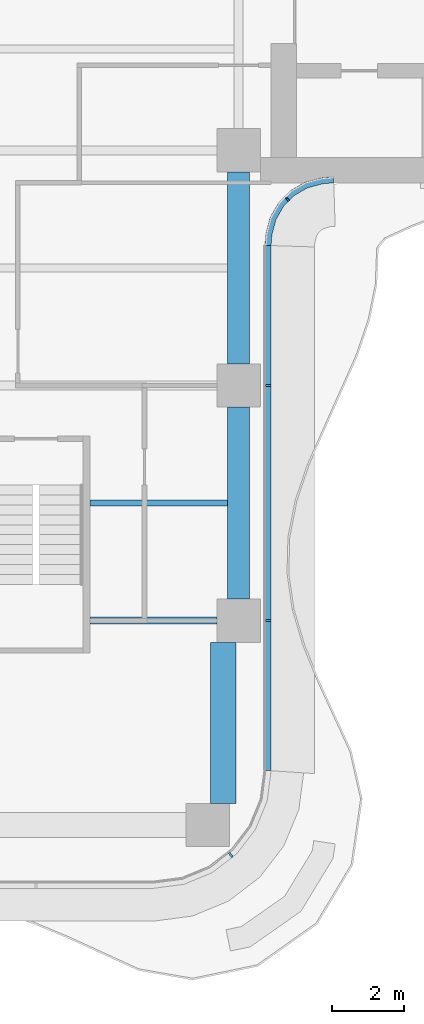
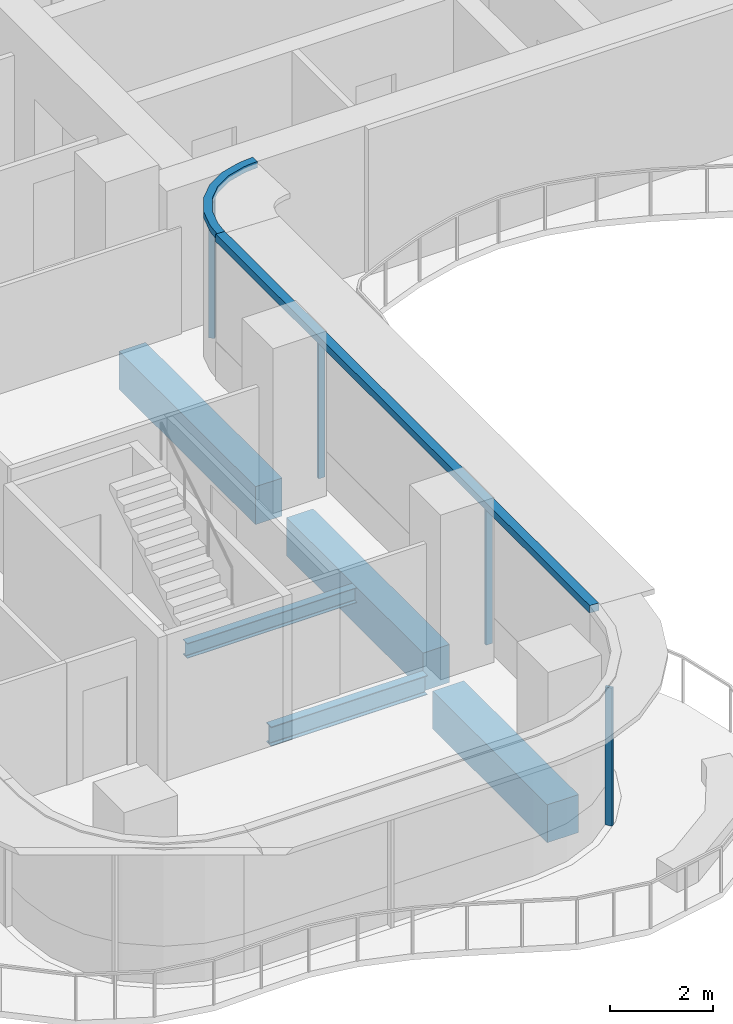
# One storey, part 5 of 17: 6 members, 5 beams, 3 elements without a shape of their own.
"""IFC4 building model written with IfcOpenShell, lengths in metres."""

from ifc_helpers import new_model, si_unit, direction, frame, origin, origin_2d, place, context, subcontext, project, spatial, polyline, rectangle, i_section, outline, extrude, source, transform, mapped, material, layer, layer_set, material_profile, profile_set, type_object, element, aggregate, save


model = new_model("IFC4")

# Units and contexts
model_context = context("Model", 3, precision=1e-05, world=origin(), true_north=direction((0.0, 1.0)))
body_context = subcontext(model_context, "Body", "Model", "MODEL_VIEW")
ifc_project = project(units=[si_unit("LENGTHUNIT", "METRE"), si_unit("AREAUNIT", "SQUARE_METRE"), si_unit("VOLUMEUNIT", "CUBIC_METRE"), si_unit("PLANEANGLEUNIT", "RADIAN"), si_unit("MASSUNIT", "GRAM", prefix="KILO")], contexts=[model_context])

# Site, building, storey
site_placement = place(None, origin())
site = spatial("IfcSite", under=ifc_project, at=site_placement, CompositionType="ELEMENT")
building_placement = place(site_placement, origin())
building = spatial("IfcBuilding", under=site, at=building_placement, Name="Trellis Farm Tower", CompositionType="ELEMENT")
storey_placement = place(building_placement, frame((0.0, 0.0, 208.800048828125)))
storey = spatial("IfcBuildingStorey", under=building, at=storey_placement, Name="L46", CompositionType="ELEMENT", Elevation=208.800048828125)

# Beams
ifc_material_1 = material(Name="Steel S355", Category="steel")
ifc_material_profile_1 = material_profile(ifc_material_1, i_section(OverallWidth=0.1904296875, OverallDepth=0.45703125, WebThickness=0.009033203125, FlangeThickness=0.014404296875, FilletRadius=0.01025390625, at=origin_2d()), Name="UB 457x191x74")
ifc_profile_set_1 = profile_set([ifc_material_profile_1], Name="Steel S355")
beam_type_1 = type_object("IfcBeamType", Name="UB 457x191x74", PredefinedType="BEAM", material=ifc_profile_set_1)
shared_shape_1 = source(origin(), body_context, "Body", "SweptSolid", [
    extrude(i_section(OverallWidth=0.1904296875, OverallDepth=0.45703125, WebThickness=0.009033203125, FlangeThickness=0.014404296875, FilletRadius=0.01025390625, at=origin_2d()), origin(), (0.0, 0.0, 1.0), 3.5),
])
beam_1_placement = place(storey_placement, frame((1.5, -18.60009765625, -0.428466796875), z_axis=(1.0, 0.0, 0.0), x_axis=(0.0, 1.0, 0.0)))
element("IfcBeam", 1, at=beam_1_placement, inside=storey, type_object=beam_type_1, Name="Girder", PredefinedType="BEAM", context=body_context, shape_type="MappedRepresentation", body=[
    mapped(shared_shape_1, transform((0.0, 0.0, 0.0))),
])
ifc_material_2 = material(Name="Concrete C60/75", Category="concrete")
ifc_material_profile_2 = material_profile(ifc_material_2, rectangle(XDim=0.60009765625, YDim=0.89990234375, at=origin_2d()), Name="RC spandrel beam 600x900 C60/75")
ifc_profile_set_2 = profile_set([ifc_material_profile_2], Name="Concrete C60/75")
beam_type_2 = type_object("IfcBeamType", Name="RC spandrel beam 600x900 C60/75", PredefinedType="SPANDREL", material=ifc_profile_set_2)
shared_shape_2 = source(origin(), body_context, "Body", "SweptSolid", [
    extrude(rectangle(XDim=0.60009765625, YDim=0.89990234375, at=origin_2d()), origin(), (0.0, 0.0, 1.0), 5.300048828125),
])
for number, where, z_axis, x_axis, name in (
    (2, (5.60009765625, -18.0, -0.650146484375), (0.0, 1.0, 0.0), (-1.0, 0.0, 0.0), "Girder"),
    (3, (5.60009765625, -11.5, -0.650146484375), (0.0, 1.0, 0.0), (-1.0, 0.0, 0.0), "Girder"),
):
    element("IfcBeam", number, at=place(storey_placement, frame(where, z_axis=z_axis, x_axis=x_axis)), inside=storey, type_object=beam_type_2, Name=name, PredefinedType="SPANDREL", context=body_context, shape_type="MappedRepresentation", body=[
        mapped(shared_shape_2, transform((0.0, 0.0, 0.0))),
    ])
ifc_material_profile_3 = material_profile(ifc_material_2, rectangle(XDim=0.699951171875, YDim=0.89990234375, at=origin_2d()), Name="RC spandrel beam 700x900 C60/75")
ifc_profile_set_3 = profile_set([ifc_material_profile_3], Name="Concrete C60/75")
beam_type_3 = type_object("IfcBeamType", Name="RC spandrel beam 700x900 C60/75", PredefinedType="SPANDREL", material=ifc_profile_set_3)
shared_shape_3 = source(origin(), body_context, "Body", "SweptSolid", [
    extrude(rectangle(XDim=0.699951171875, YDim=0.89990234375, at=origin_2d()), origin(), (0.0, 0.0, 1.0), 4.449951171875),
])
beam_2_placement = place(storey_placement, frame((5.175048828125, -23.64990234375, -0.650146484375), z_axis=(0.0, 1.0, 0.0), x_axis=(-1.0, 0.0, 0.0)))
element("IfcBeam", 4, at=beam_2_placement, inside=storey, type_object=beam_type_3, Name="Girder", PredefinedType="SPANDREL", context=body_context, shape_type="MappedRepresentation", body=[
    mapped(shared_shape_3, transform((0.0, 0.0, 0.0))),
])
ifc_material_profile_4 = material_profile(ifc_material_1, i_section(OverallWidth=0.17138671875, OverallDepth=0.35498046875, WebThickness=0.00732421875, FlangeThickness=0.011474609375, FilletRadius=0.01025390625, at=origin_2d()), Name="UB 356x171x51")
ifc_profile_set_4 = profile_set([ifc_material_profile_4], Name="Steel S355")
beam_type_4 = type_object("IfcBeamType", Name="UB 356x171x51 joist", PredefinedType="JOIST", material=ifc_profile_set_4)
shared_shape_4 = source(origin(), body_context, "Body", "SweptSolid", [
    extrude(i_section(OverallWidth=0.17138671875, OverallDepth=0.35498046875, WebThickness=0.00732421875, FlangeThickness=0.011474609375, FilletRadius=0.01025390625, at=origin_2d()), origin(), (0.0, 0.0, 1.0), 3.800048828125),
])
beam_3_placement = place(storey_placement, frame((1.5, -15.35009765625, -0.37744140625), z_axis=(1.0, 0.0, 0.0), x_axis=(0.0, 1.0, 0.0)))
element("IfcBeam", 5, at=beam_3_placement, inside=storey, type_object=beam_type_4, Name="Floor beam", PredefinedType="JOIST", context=body_context, shape_type="MappedRepresentation", body=[
    mapped(shared_shape_4, transform((0.0, 0.0, 0.0))),
])

# Curtain wall, member
ifc_material_3 = material(Name="Aluminium and glass curtain wall", Category="aluminium")
ifc_layer_1 = layer(ifc_material_3, 0.166015625)
ifc_layer_set_1 = layer_set([ifc_layer_1], Name="WINTER GARDEN CURTAIN WALL CW3")
curtain_wall_type_1 = type_object("IfcCurtainWallType", Name="WINTER GARDEN CURTAIN WALL CW3", PredefinedType="NOTDEFINED", material=ifc_layer_set_1)
placement = place(storey_placement, origin())
curtain_wall_1 = element("IfcCurtainWall", 6, at=placement, inside=storey, type_object=curtain_wall_type_1, Name="CW3 002", PredefinedType="NOTDEFINED")
ifc_material_4 = material(Name="Aluminium extrusion 6063-T6", Category="aluminium")
ifc_layer_2 = layer(ifc_material_4, 0.169921875)
ifc_layer_set_2 = layer_set([ifc_layer_2], Name="Aluminium extrusion 6063-T6")
member_type_1 = type_object("IfcMemberType", Name="CW3 TRANSOM 170x150", PredefinedType="USERDEFINED", material=ifc_layer_set_2)
shared_shape_5 = source(origin(), body_context, "Body", "SweptSolid", [
    extrude(outline(polyline([(6.5, -8.2314453125), (6.513916015625, -8.01953125), (6.527587890625, -7.91552734375), (6.63671875, -7.508544921875), (6.846923828125, -7.144287109375), (7.144287109375, -6.846923828125), (7.508544921875, -6.63671875), (7.91552734375, -6.527587890625), (8.01953125, -6.513916015625), (8.2314453125, -6.5), (8.225830078125, -6.330078125), (8.0029296875, -6.3447265625), (7.88232421875, -6.360595703125), (7.44287109375, -6.478271484375), (7.0400390625, -6.7109375), (6.7109375, -7.0400390625), (6.478271484375, -7.44287109375), (6.360595703125, -7.88232421875), (6.3447265625, -8.0029296875), (6.330078125, -8.225830078125), (6.5, -8.2314453125)])), origin(), (0.0, 0.0, 1.0), 0.14990234375),
])
member_1_placement = place(storey_placement, frame((0.0, 0.0, 3.300048828125)))
member_1 = element("IfcMember", 7, at=member_1_placement, type_object=member_type_1, Name="TR3 002", ObjectType="TRANSOM", PredefinedType="USERDEFINED", context=body_context, shape_type="MappedRepresentation", body=[
    mapped(shared_shape_5, transform((0.0, 0.0, 0.0))),
])

ifc_layer_3 = layer(ifc_material_3, 0.18994140625)
ifc_layer_set_3 = layer_set([ifc_layer_3], Name="RIBBON CURTAIN WALL CW1")
curtain_wall_type_2 = type_object("IfcCurtainWallType", Name="RIBBON CURTAIN WALL CW1", PredefinedType="NOTDEFINED", material=ifc_layer_set_3)
curtain_wall_2 = element("IfcCurtainWall", 8, at=placement, inside=storey, type_object=curtain_wall_type_2, Name="CW1 005", PredefinedType="NOTDEFINED")
ifc_layer_4 = layer(ifc_material_4, 0.199951171875)
ifc_layer_set_4 = layer_set([ifc_layer_4], Name="Aluminium extrusion 6063-T6")
member_type_2 = type_object("IfcMemberType", Name="CW1 TRANSOM 200x180", PredefinedType="USERDEFINED", material=ifc_layer_set_4)
shared_shape_6 = source(origin(), body_context, "Body", "SweptSolid", [
    extrude(outline(polyline([(6.5, -22.75), (6.5, -8.2314453125), (6.300048828125, -8.224853515625), (6.300048828125, -22.73681640625), (6.5, -22.75)])), origin(), (0.0, 0.0, 1.0), 0.179931640625),
])
member_2_placement = place(storey_placement, frame((0.0, 0.0, 3.27001953125)))
member_2 = element("IfcMember", 9, at=member_2_placement, type_object=member_type_2, Name="TR1 005", ObjectType="TRANSOM", PredefinedType="USERDEFINED", context=body_context, shape_type="MappedRepresentation", body=[
    mapped(shared_shape_6, transform((0.0, 0.0, 0.0))),
])

curtain_wall_3 = element("IfcCurtainWall", 10, at=placement, inside=storey, type_object=curtain_wall_type_2, Name="CW1 004", PredefinedType="NOTDEFINED")
ifc_material_profile_5 = material_profile(ifc_material_4, rectangle(XDim=0.06005859375, YDim=0.14990234375, at=origin_2d()), Name="MULLION 60x150")
ifc_profile_set_5 = profile_set([ifc_material_profile_5], Name="Aluminium extrusion 6063-T6")
member_type_3 = type_object("IfcMemberType", Name="CW1 MULLION 60x150", PredefinedType="MULLION", material=ifc_profile_set_5)
shared_shape_7 = source(origin(), body_context, "Body", "SweptSolid", [
    extrude(rectangle(XDim=0.06005859375, YDim=0.14990234375, at=origin_2d()), origin(), (0.0, 0.0, 1.0), 3.27001953125),
])
member_3_placement = place(storey_placement, frame((5.385498046875, -25.078369140625, 0.0), z_axis=(0.0, 0.0, 1.0), x_axis=(0.793353340291, 0.608761429009, 0.0)))
member_3 = element("IfcMember", 11, at=member_3_placement, type_object=member_type_3, Name="MU1 004-02", PredefinedType="MULLION", context=body_context, shape_type="MappedRepresentation", body=[
    mapped(shared_shape_7, transform((0.0, 0.0, 0.0))),
])
aggregate(curtain_wall_3, [member_3])

# Member
member_4_placement = place(storey_placement, frame((6.425048828125, -18.60009765625, 0.0), z_axis=(0.0, 0.0, 1.0), x_axis=(0.0, 1.0, 0.0)))
member_4 = element("IfcMember", 12, at=member_4_placement, type_object=member_type_3, Name="MU1 005-01", PredefinedType="MULLION", context=body_context, shape_type="MappedRepresentation", body=[
    mapped(shared_shape_7, transform((0.0, 0.0, 0.0))),
])

member_5_placement = place(storey_placement, frame((6.425048828125, -12.10009765625, 0.0), z_axis=(0.0, 0.0, 1.0), x_axis=(0.0, 1.0, 0.0)))
member_5 = element("IfcMember", 13, at=member_5_placement, type_object=member_type_3, Name="MU1 005-02", PredefinedType="MULLION", context=body_context, shape_type="MappedRepresentation", body=[
    mapped(shared_shape_7, transform((0.0, 0.0, 0.0))),
])

aggregate(curtain_wall_2, [member_4, member_5, member_2])

ifc_material_profile_6 = material_profile(ifc_material_4, rectangle(XDim=0.050048828125, YDim=0.1201171875, at=origin_2d()), Name="MULLION 50x120")
ifc_profile_set_6 = profile_set([ifc_material_profile_6], Name="Aluminium extrusion 6063-T6")
member_type_4 = type_object("IfcMemberType", Name="CW3 MULLION 50x120", PredefinedType="MULLION", material=ifc_profile_set_6)
shared_shape_8 = source(origin(), body_context, "Body", "SweptSolid", [
    extrude(rectangle(XDim=0.050048828125, YDim=0.1201171875, at=origin_2d()), origin(), (0.0, 0.0, 1.0), 3.300048828125),
])
member_6_placement = place(storey_placement, frame((6.953125, -6.953125, 0.0), z_axis=(0.0, 0.0, 1.0), x_axis=(0.707106781187, 0.707106781187, 0.0)))
member_6 = element("IfcMember", 14, at=member_6_placement, type_object=member_type_4, Name="MU3 002-01", PredefinedType="MULLION", context=body_context, shape_type="MappedRepresentation", body=[
    mapped(shared_shape_8, transform((0.0, 0.0, 0.0))),
])

aggregate(curtain_wall_1, [member_6, member_1])

save(model, "model.ifc")
